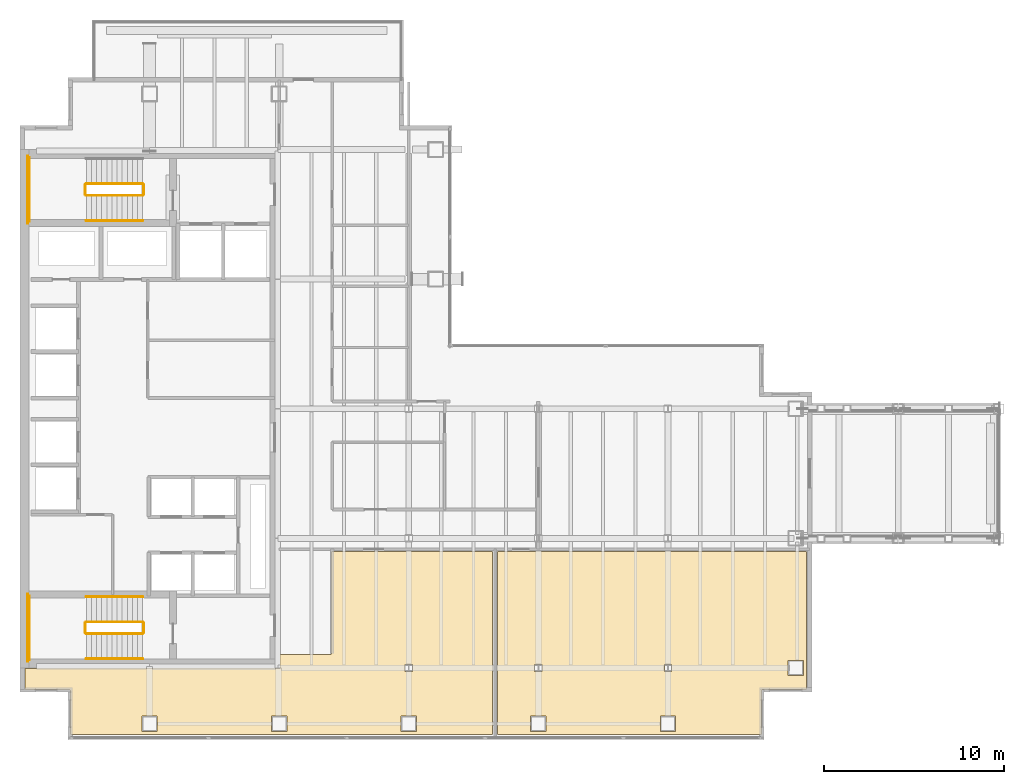
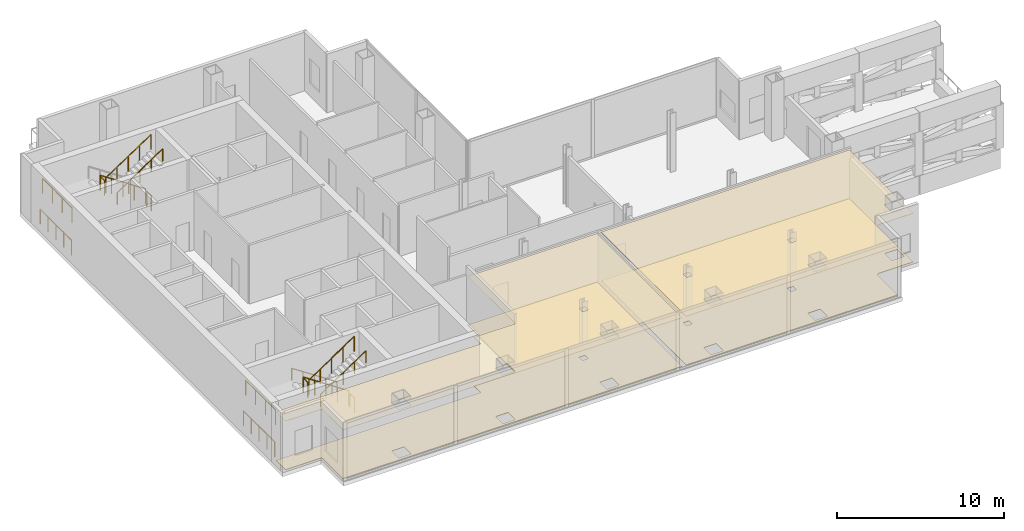
# One storey, part 19 of 20: 15 railings, 4 coverings.
"""IFC4 building model written with IfcOpenShell, lengths in metres."""

import ifcopenshell
import ifcopenshell.guid

model = None  # the IFC model being written
_history = None  # IfcOwnerHistory: only IFC2X3 demands one
_inside = {}  # id of a spatial element -> (the spatial element, [elements in it])
_under = {}  # id of a project, library or spatial element -> (it, [spatial elements below it])
_declared = {}  # id of a project -> (the project, [libraries it declares])
_typed = {}  # id of a type object -> (the type object, [elements of that type])
_made_of = {}  # id of a material, layer set ... -> (it, [elements and type objects made of it])


def new_model(schema):
    """Start an empty IFC model of exactly this schema.

    Asked for "IFC4X3", IfcOpenShell would pick the latest addendum, in which some entities
    have other attributes; the version numbers below select the first issue.
    IFC2X3 requires an IfcOwnerHistory on every rooted entity: one is made here for all.
    """
    global model, _history
    if schema == "IFC4X3":
        model = ifcopenshell.file(schema_version=(4, 3, 0, 0))
    else:
        model = ifcopenshell.file(schema=schema)
    _inside.clear()
    _under.clear()
    _declared.clear()
    _typed.clear()
    _made_of.clear()
    _history = None
    if model.schema == "IFC2X3":
        org = make("IfcOrganization", Name="unknown")
        user = make(
            "IfcPersonAndOrganization",
            ThePerson=make("IfcPerson", FamilyName="unknown"),
            TheOrganization=org,
        )
        app = make(
            "IfcApplication",
            ApplicationDeveloper=org,
            Version="unknown",
            ApplicationFullName="unknown",
            ApplicationIdentifier="unknown",
        )
        _history = make(
            "IfcOwnerHistory",
            OwningUser=user,
            OwningApplication=app,
            ChangeAction="ADDED",
            CreationDate=0,
        )
    return model


def make(cls, **values):
    """One entity of the class cls with the attributes given. An attribute that is None is left unset."""
    return model.create_entity(
        cls, **{name: value for name, value in values.items() if value is not None}
    )


def rooted(cls, **values):
    """An entity with a GlobalId (a new one), such as an element, a storey or a relation."""
    return make(cls, GlobalId=ifcopenshell.guid.new(), OwnerHistory=_history, **values)


def si_unit(unit_type, name, prefix=None):
    """IfcSIUnit, for example si_unit("LENGTHUNIT", "METRE", prefix="MILLI")."""
    return make("IfcSIUnit", UnitType=unit_type, Prefix=prefix, Name=name)


def assignment(units):
    """IfcUnitAssignment: the units of a project."""
    return None if units is None else make("IfcUnitAssignment", Units=units)


def point(xyz):
    """IfcCartesianPoint."""
    return None if xyz is None else make("IfcCartesianPoint", Coordinates=xyz)


def direction(xyz):
    """IfcDirection."""
    return None if xyz is None else make("IfcDirection", DirectionRatios=xyz)


def frame(location, z_axis=None, x_axis=None):
    """IfcAxis2Placement3D, a coordinate frame: its origin and axes. An axis left out is left unset."""
    return make(
        "IfcAxis2Placement3D",
        Location=point(location),
        Axis=direction(z_axis),
        RefDirection=direction(x_axis),
    )


def frame_2d(location, x_axis=None):
    """IfcAxis2Placement2D, a coordinate frame in the plane: its origin and x axis."""
    return make(
        "IfcAxis2Placement2D", Location=point(location), RefDirection=direction(x_axis)
    )


def origin():
    """The frame at (0, 0, 0) with its axes left unset."""
    return frame((0.0, 0.0, 0.0))


def origin_2d():
    """The frame at (0, 0) in the plane with its x axis left unset."""
    return frame_2d((0.0, 0.0))


def place(relative_to, where):
    """IfcLocalPlacement: puts the frame where relative to a parent placement (None: the world)."""
    return make(
        "IfcLocalPlacement", PlacementRelTo=relative_to, RelativePlacement=where
    )


def context(
    kind, dimensions, precision=None, world=None, true_north=None, identifier=None
):
    """IfcGeometricRepresentationContext, for example the 3D "Model" context."""
    return make(
        "IfcGeometricRepresentationContext",
        ContextIdentifier=identifier,
        ContextType=kind,
        CoordinateSpaceDimension=dimensions,
        Precision=precision,
        WorldCoordinateSystem=world,
        TrueNorth=true_north,
    )


def subcontext(parent, identifier, kind, view, scale=None):
    """IfcGeometricRepresentationSubContext, for example "Body" below "Model"."""
    return make(
        "IfcGeometricRepresentationSubContext",
        ContextIdentifier=identifier,
        ContextType=kind,
        ParentContext=parent,
        TargetScale=scale,
        TargetView=view,
    )


def project(units=None, contexts=None):
    """IfcProject with its units and contexts."""
    return rooted(
        "IfcProject",
        Name="project",
        RepresentationContexts=contexts,
        UnitsInContext=assignment(units),
    )


def spatial(cls, under=None, at=None, **own):
    """A site, building, storey or space (cls), placed at a placement, below another one or the project."""
    s = rooted(cls, ObjectPlacement=at, **own)
    if under is not None:
        _under.setdefault(under.id(), (under, []))[1].append(s)
    return s


def polyline(points):
    """IfcPolyline through the points."""
    return make("IfcPolyline", Points=[point(p) for p in points])


def profile(cls, at=None, kind="AREA", **sizes):
    """A parametric profile (cls). Its sizes go by their IFC names, for example OverallWidth=200.0."""
    return make(cls, ProfileType=kind, Position=at, **sizes)


def circle(**sizes):
    """IfcCircleProfileDef."""
    return profile("IfcCircleProfileDef", **sizes)


def outline(outer, holes=None, kind="AREA"):
    """IfcArbitraryClosedProfileDef: a profile drawn as a closed curve; with holes, ...WithVoids."""
    if holes is None:
        return make("IfcArbitraryClosedProfileDef", ProfileType=kind, OuterCurve=outer)
    return make(
        "IfcArbitraryProfileDefWithVoids",
        ProfileType=kind,
        OuterCurve=outer,
        InnerCurves=holes,
    )


def extrude(swept, where, along, depth):
    """IfcExtrudedAreaSolid: the profile swept, set in the frame where, extruded along a direction by depth."""
    return make(
        "IfcExtrudedAreaSolid",
        SweptArea=swept,
        Position=where,
        ExtrudedDirection=direction(along),
        Depth=depth,
    )


def shape(context_of_items, identifier, shape_type, items):
    """IfcShapeRepresentation: the items that make up one representation, for example the "Body"."""
    return make(
        "IfcShapeRepresentation",
        ContextOfItems=context_of_items,
        RepresentationIdentifier=identifier,
        RepresentationType=shape_type,
        Items=items,
    )


def material(Name=None, Category=None):
    """IfcMaterial."""
    return make("IfcMaterial", Name=Name, Category=Category)


def layer(
    of_material, thickness, ventilated=None, Name=None, Category=None, Priority=None
):
    """IfcMaterialLayer: one layer of a wall or slab, of a material (None: an air gap)."""
    return make(
        "IfcMaterialLayer",
        Material=of_material,
        LayerThickness=thickness,
        IsVentilated=ventilated,
        Name=Name,
        Category=Category,
        Priority=Priority,
    )


def layer_set(layers, Name=None):
    """IfcMaterialLayerSet."""
    return make("IfcMaterialLayerSet", MaterialLayers=layers, LayerSetName=Name)


def made_of(thing, what):
    """Note that an element or type object is made of a material, layer set ...; save() writes the relation."""
    if what is not None:
        _made_of.setdefault(what.id(), (what, []))[1].append(thing)
    return thing


def type_object(cls, material=None, **own):
    """A type object (cls), such as IfcWallType, which elements share."""
    return made_of(rooted(cls, **own), material)


def element(
    cls,
    number,
    at=None,
    inside=None,
    cuts=None,
    type_object=None,
    material=None,
    context=None,
    identifier="Body",
    shape_type=None,
    held_by="IfcProductDefinitionShape",
    body=None,
    shapes=None,
    **own,
):
    """One element of the class cls, such as IfcWall. Its Tag is "e" and its number.

    at: its placement. inside: the storey or other place that contains it. cuts: it is an
    opening in that element (IfcRelVoidsElement). A single representation is given by context,
    identifier, shape_type and body (its items); several are given by shapes. held_by: the class
    of the entity that holds the representations. save() writes the other relations.
    """
    e = rooted(cls, Tag="e%d" % number, ObjectPlacement=at, **own)
    if body is not None:
        shapes = [shape(context, identifier, shape_type, body)]
    if shapes is not None:
        e.Representation = make(held_by, Representations=shapes)
    if inside is not None:
        _inside.setdefault(inside.id(), (inside, []))[1].append(e)
    if cuts is not None:
        rooted(
            "IfcRelVoidsElement", RelatingBuildingElement=cuts, RelatedOpeningElement=e
        )
    if type_object is not None:
        _typed.setdefault(type_object.id(), (type_object, []))[1].append(e)
    return made_of(e, material)


def aggregate(whole, parts):
    """IfcRelAggregates: a whole, such as a stair, and the parts it consists of."""
    return rooted("IfcRelAggregates", RelatingObject=whole, RelatedObjects=parts)


def save(model, path):
    """Write the relations noted so far, then the file.

    IfcRelAggregates (storeys below a building ...), IfcRelContainedInSpatialStructure (elements
    in a storey), IfcRelDefinesByType, IfcRelAssociatesMaterial and IfcRelDeclares: one each for
    every whole, place, type object, material and project.
    """
    for whole, parts in _under.values():
        aggregate(whole, parts)
    for where, things in _inside.values():
        rooted(
            "IfcRelContainedInSpatialStructure",
            RelatedElements=things,
            RelatingStructure=where,
        )
    for kind, things in _typed.values():
        rooted("IfcRelDefinesByType", RelatedObjects=things, RelatingType=kind)
    for what, things in _made_of.values():
        rooted("IfcRelAssociatesMaterial", RelatedObjects=things, RelatingMaterial=what)
    for by, libraries in _declared.values():
        rooted("IfcRelDeclares", RelatingContext=by, RelatedDefinitions=libraries)
    model.write(path)


model = new_model("IFC4")

# Units and contexts
model_context = context("Model", 3, precision=1e-05, world=origin(), true_north=direction((0.0, 1.0)))
body_context = subcontext(model_context, "Body", "Model", "MODEL_VIEW")
ifc_project = project(units=[si_unit("LENGTHUNIT", "METRE"), si_unit("AREAUNIT", "SQUARE_METRE"), si_unit("VOLUMEUNIT", "CUBIC_METRE"), si_unit("PLANEANGLEUNIT", "RADIAN"), si_unit("MASSUNIT", "GRAM", prefix="KILO")], contexts=[model_context])

# Site, building, storey
site_placement = place(None, origin())
site = spatial("IfcSite", under=ifc_project, at=site_placement, CompositionType="ELEMENT")
building_placement = place(site_placement, origin())
building = spatial("IfcBuilding", under=site, at=building_placement, Name="Cobrela Telecom Tower", CompositionType="ELEMENT")
storey_placement = place(building_placement, frame((0.0, 0.0, 168.699951171875)))
storey = spatial("IfcBuildingStorey", under=building, at=storey_placement, Name="L42", CompositionType="ELEMENT", Elevation=168.699951171875)

# Coverings
ifc_material_1 = material(Name="Mineral Fibre Acoustic Ceiling Tile")
ifc_layer_1 = layer(ifc_material_1, 0.02490234375)
ifc_layer_set_1 = layer_set([ifc_layer_1], Name="Mineral Fibre Acoustic Ceiling Tile")
covering_type_1 = type_object("IfcCoveringType", Name="COV-CEIL-ACT", PredefinedType="CEILING", material=ifc_layer_set_1)
covering_1_placement = place(storey_placement, frame((0.0, 0.0, 3.570068359375)))
element("IfcCovering", 1, at=covering_1_placement, inside=storey, type_object=covering_type_1, Name="L42 Client Hospitality Office Suspended Acoustic Ceiling", PredefinedType="CEILING", context=body_context, shape_type="SweptSolid", body=[
    extrude(outline(polyline([(43.7099609375, 6.010009765625), (41.3291015625, 6.010009765625), (41.31640625, 6.009521484375), (41.302734375, 6.00732421875), (41.289306640625, 6.00390625), (41.2763671875, 5.99951171875), (41.263916015625, 5.993408203125), (41.252197265625, 5.986328125), (41.2412109375, 5.978271484375), (41.23095703125, 5.968994140625), (41.2216796875, 5.958740234375), (41.213623046875, 5.947998046875), (41.20654296875, 5.93603515625), (41.20068359375, 5.923583984375), (41.196044921875, 5.91064453125), (41.192626953125, 5.897216796875), (41.190673828125, 5.8837890625), (41.18994140625, 5.87109375), (41.18994140625, 3.489990234375), (26.5400390625, 3.489990234375), (26.5400390625, 13.659912109375), (43.7099609375, 13.659912109375), (43.7099609375, 6.010009765625)]), holes=[polyline([(28.99951171875, 7.0029296875), (28.99951171875, 7.39697265625), (28.6005859375, 7.39697265625), (28.6005859375, 7.0029296875), (28.99951171875, 7.0029296875)]), polyline([(29.22509765625, 3.675048828125), (29.22509765625, 4.52490234375), (28.375, 4.52490234375), (28.375, 3.675048828125), (29.22509765625, 3.675048828125)]), polyline([(36.425048828125, 3.675048828125), (36.425048828125, 4.52490234375), (35.574951171875, 4.52490234375), (35.574951171875, 3.675048828125), (36.425048828125, 3.675048828125)]), polyline([(36.199462890625, 7.39697265625), (35.800537109375, 7.39697265625), (35.800537109375, 7.0029296875), (36.199462890625, 7.0029296875), (36.199462890625, 7.39697265625)]), polyline([(43.52490234375, 6.77490234375), (43.52490234375, 7.625), (42.675048828125, 7.625), (42.675048828125, 6.77490234375), (43.52490234375, 6.77490234375)])]), origin(), (0.0, 0.0, 1.0), 0.02490234375),
])
covering_2_placement = place(storey_placement, frame((0.0, 0.0, 3.570068359375)))
element("IfcCovering", 2, at=covering_2_placement, inside=storey, type_object=covering_type_1, Name="L42 NOC Briefing Room Suspended Acoustic Ceiling", PredefinedType="CEILING", context=body_context, shape_type="SweptSolid", body=[
    extrude(outline(polyline([(2.81005859375, 5.87109375), (2.809326171875, 5.8837890625), (2.807373046875, 5.897216796875), (2.803955078125, 5.91064453125), (2.79931640625, 5.923583984375), (2.79345703125, 5.93603515625), (2.786376953125, 5.947998046875), (2.7783203125, 5.958740234375), (2.76904296875, 5.968994140625), (2.7587890625, 5.978271484375), (2.747802734375, 5.986328125), (2.736083984375, 5.993408203125), (2.7236328125, 5.99951171875), (2.710693359375, 6.00390625), (2.697265625, 6.00732421875), (2.68359375, 6.009521484375), (2.6708984375, 6.010009765625), (0.2900390625, 6.010009765625), (0.2900390625, 7.159912109375), (14.43994140625, 7.159912109375), (14.43994140625, 7.950927734375), (14.445068359375, 7.949951171875), (17.2548828125, 7.949951171875), (17.26025390625, 7.951171875), (17.265380859375, 7.9521484375), (17.27001953125, 7.9541015625), (17.272705078125, 7.955322265625), (17.278564453125, 7.958740234375), (17.28125, 7.961181640625), (17.28564453125, 7.96435546875), (17.288818359375, 7.96875), (17.291259765625, 7.971435546875), (17.294677734375, 7.977294921875), (17.2978515625, 7.984619140625), (17.298828125, 7.98974609375), (17.300048828125, 7.9951171875), (17.300048828125, 13.659912109375), (26.260009765625, 13.659912109375), (26.260009765625, 3.489990234375), (2.81005859375, 3.489990234375), (2.81005859375, 5.87109375)]), holes=[polyline([(7.625, 4.52490234375), (6.77490234375, 4.52490234375), (6.77490234375, 3.675048828125), (7.625, 3.675048828125), (7.625, 4.52490234375)]), polyline([(14.824951171875, 3.675048828125), (14.824951171875, 4.52490234375), (13.97509765625, 4.52490234375), (13.97509765625, 3.675048828125), (14.824951171875, 3.675048828125)]), polyline([(22.02490234375, 3.675048828125), (22.02490234375, 4.52490234375), (21.175048828125, 4.52490234375), (21.175048828125, 3.675048828125), (22.02490234375, 3.675048828125)]), polyline([(21.799560546875, 7.39697265625), (21.400390625, 7.39697265625), (21.400390625, 7.0029296875), (21.799560546875, 7.0029296875), (21.799560546875, 7.39697265625)])]), origin(), (0.0, 0.0, 1.0), 0.02490234375),
])
ifc_material_2 = material(Name="Honed Colombian Basalt Stone", Category="masonry")
ifc_layer_2 = layer(ifc_material_2, 0.0400390625)
ifc_layer_set_2 = layer_set([ifc_layer_2], Name="Honed Colombian Basalt Stone")
covering_type_2 = type_object("IfcCoveringType", Name="COV-FLR-STONE", PredefinedType="FLOORING", material=ifc_layer_set_2)
covering_3_placement = place(storey_placement, origin())
element("IfcCovering", 3, at=covering_3_placement, inside=storey, type_object=covering_type_2, Name="L42 Client Hospitality Office Raised Technical Flooring", PredefinedType="FLOORING", context=body_context, shape_type="SweptSolid", body=[
    extrude(outline(polyline([(43.7099609375, 6.010009765625), (41.3291015625, 6.010009765625), (41.31640625, 6.009521484375), (41.302734375, 6.00732421875), (41.289306640625, 6.00390625), (41.2763671875, 5.99951171875), (41.263916015625, 5.993408203125), (41.252197265625, 5.986328125), (41.2412109375, 5.978271484375), (41.23095703125, 5.968994140625), (41.2216796875, 5.958740234375), (41.213623046875, 5.947998046875), (41.20654296875, 5.93603515625), (41.20068359375, 5.923583984375), (41.196044921875, 5.91064453125), (41.192626953125, 5.897216796875), (41.190673828125, 5.8837890625), (41.18994140625, 5.87109375), (41.18994140625, 3.489990234375), (26.5400390625, 3.489990234375), (26.5400390625, 13.659912109375), (43.7099609375, 13.659912109375), (43.7099609375, 6.010009765625)]), holes=[polyline([(28.99951171875, 7.0029296875), (28.99951171875, 7.39697265625), (28.6005859375, 7.39697265625), (28.6005859375, 7.0029296875), (28.99951171875, 7.0029296875)]), polyline([(29.22509765625, 3.675048828125), (29.22509765625, 4.52490234375), (28.375, 4.52490234375), (28.375, 3.675048828125), (29.22509765625, 3.675048828125)]), polyline([(36.425048828125, 3.675048828125), (36.425048828125, 4.52490234375), (35.574951171875, 4.52490234375), (35.574951171875, 3.675048828125), (36.425048828125, 3.675048828125)]), polyline([(36.199462890625, 7.39697265625), (35.800537109375, 7.39697265625), (35.800537109375, 7.0029296875), (36.199462890625, 7.0029296875), (36.199462890625, 7.39697265625)]), polyline([(43.52490234375, 6.77490234375), (43.52490234375, 7.625), (42.675048828125, 7.625), (42.675048828125, 6.77490234375), (43.52490234375, 6.77490234375)])]), origin(), (0.0, 0.0, 1.0), 0.0400390625),
])
covering_4_placement = place(storey_placement, origin())
element("IfcCovering", 4, at=covering_4_placement, inside=storey, type_object=covering_type_2, Name="L42 NOC Briefing Room Raised Technical Flooring", PredefinedType="FLOORING", context=body_context, shape_type="SweptSolid", body=[
    extrude(outline(polyline([(2.81005859375, 5.87109375), (2.809326171875, 5.8837890625), (2.807373046875, 5.897216796875), (2.803955078125, 5.91064453125), (2.79931640625, 5.923583984375), (2.79345703125, 5.93603515625), (2.786376953125, 5.947998046875), (2.7783203125, 5.958740234375), (2.76904296875, 5.968994140625), (2.7587890625, 5.978271484375), (2.747802734375, 5.986328125), (2.736083984375, 5.993408203125), (2.7236328125, 5.99951171875), (2.710693359375, 6.00390625), (2.697265625, 6.00732421875), (2.68359375, 6.009521484375), (2.6708984375, 6.010009765625), (0.2900390625, 6.010009765625), (0.2900390625, 7.159912109375), (14.43994140625, 7.159912109375), (14.43994140625, 7.950927734375), (14.445068359375, 7.949951171875), (17.2548828125, 7.949951171875), (17.26025390625, 7.951171875), (17.265380859375, 7.9521484375), (17.27001953125, 7.9541015625), (17.272705078125, 7.955322265625), (17.278564453125, 7.958740234375), (17.28125, 7.961181640625), (17.28564453125, 7.96435546875), (17.288818359375, 7.96875), (17.291259765625, 7.971435546875), (17.294677734375, 7.977294921875), (17.2978515625, 7.984619140625), (17.298828125, 7.98974609375), (17.300048828125, 7.9951171875), (17.300048828125, 13.659912109375), (26.260009765625, 13.659912109375), (26.260009765625, 3.489990234375), (2.81005859375, 3.489990234375), (2.81005859375, 5.87109375)]), holes=[polyline([(7.625, 4.52490234375), (6.77490234375, 4.52490234375), (6.77490234375, 3.675048828125), (7.625, 3.675048828125), (7.625, 4.52490234375)]), polyline([(14.824951171875, 3.675048828125), (14.824951171875, 4.52490234375), (13.97509765625, 4.52490234375), (13.97509765625, 3.675048828125), (14.824951171875, 3.675048828125)]), polyline([(22.02490234375, 3.675048828125), (22.02490234375, 4.52490234375), (21.175048828125, 4.52490234375), (21.175048828125, 3.675048828125), (22.02490234375, 3.675048828125)]), polyline([(21.799560546875, 7.39697265625), (21.400390625, 7.39697265625), (21.400390625, 7.0029296875), (21.799560546875, 7.0029296875), (21.799560546875, 7.39697265625)])]), origin(), (0.0, 0.0, 1.0), 0.0400390625),
])

# Railings
ifc_material_3 = material(Name="Steel ASTM A36", Category="steel")
railing_type_1 = type_object("IfcRailingType", Name="RAIL-GUARD-1100", PredefinedType="GUARDRAIL", material=ifc_material_3)
railing_1_placement = place(storey_placement, frame((6.820068359375, 34.10009765625, 0.189697265625)))
element("IfcRailing", 5, at=railing_1_placement, inside=storey, type_object=railing_type_1, Name="L42 ST1 stair guard 1", PredefinedType="GUARDRAIL", context=body_context, shape_type="SweptSolid", body=[
    extrude(circle(Radius=0.02392578125, at=origin_2d()), frame((0.0, 0.0, 1.076171875), z_axis=(-0.832608492644, 0.0, 0.553861984593), x_axis=(0.0, -1.0, 0.0)), (0.0, 0.0, 1.0), 3.765380859375),
    extrude(circle(Radius=0.02099609375, at=origin_2d()), origin(), (0.0, 0.0, 1.0), 1.052001953125),
    extrude(circle(Radius=0.02099609375, at=origin_2d()), frame((-0.78369140625, 0.0, 0.521484375)), (0.0, 0.0, 1.0), 1.052001953125),
    extrude(circle(Radius=0.02099609375, at=origin_2d()), frame((-1.5673828125, 0.0, 1.042724609375)), (0.0, 0.0, 1.0), 1.052001953125),
    extrude(circle(Radius=0.02099609375, at=origin_2d()), frame((-2.351318359375, 0.0, 1.56396484375)), (0.0, 0.0, 1.0), 1.052001953125),
    extrude(circle(Radius=0.02099609375, at=origin_2d()), frame((-3.135009765625, 0.0, 2.08544921875)), (0.0, 0.0, 1.0), 1.052001953125),
])
railing_2_placement = place(storey_placement, frame((3.635009765625, 34.050048828125, 2.275146484375)))
element("IfcRailing", 6, at=railing_2_placement, inside=storey, type_object=railing_type_1, Name="L42 ST1 stair guard 2", PredefinedType="GUARDRAIL", context=body_context, shape_type="SweptSolid", body=[
    extrude(circle(Radius=0.02392578125, at=origin_2d()), frame((0.0, 0.0, 1.076171875), z_axis=(0.0, -1.0, 0.0), x_axis=(1.0, 0.0, 0.0)), (0.0, 0.0, 1.0), 0.550048828125),
    extrude(circle(Radius=0.02099609375, at=origin_2d()), origin(), (0.0, 0.0, 1.0), 1.052001953125),
    extrude(circle(Radius=0.02099609375, at=origin_2d()), frame((0.0, -0.550048828125, 0.0)), (0.0, 0.0, 1.0), 1.052001953125),
])
railing_3_placement = place(storey_placement, frame((0.530029296875, 35.550048828125, 2.275146484375)))
element("IfcRailing", 7, at=railing_3_placement, inside=storey, type_object=railing_type_1, Name="L42 ST1 stair guard 3", PredefinedType="GUARDRAIL", context=body_context, shape_type="SweptSolid", body=[
    extrude(circle(Radius=0.02392578125, at=origin_2d()), frame((0.0, 0.0, 1.076171875), z_axis=(0.0, -1.0, 0.0), x_axis=(1.0, 0.0, 0.0)), (0.0, 0.0, 1.0), 3.550048828125),
    extrude(circle(Radius=0.02099609375, at=origin_2d()), origin(), (0.0, 0.0, 1.0), 1.052001953125),
    extrude(circle(Radius=0.02099609375, at=origin_2d()), frame((0.0, -1.183349609375, 0.0)), (0.0, 0.0, 1.0), 1.052001953125),
    extrude(circle(Radius=0.02099609375, at=origin_2d()), frame((0.0, -2.36669921875, 0.0)), (0.0, 0.0, 1.0), 1.052001953125),
    extrude(circle(Radius=0.02099609375, at=origin_2d()), frame((0.0, -3.550048828125, 0.0)), (0.0, 0.0, 1.0), 1.052001953125),
])
railing_4_placement = place(storey_placement, frame((3.68505859375, 33.449951171875, 2.464599609375)))
element("IfcRailing", 8, at=railing_4_placement, inside=storey, type_object=railing_type_1, Name="L42 ST1 stair guard 4", PredefinedType="GUARDRAIL", context=body_context, shape_type="SweptSolid", body=[
    extrude(circle(Radius=0.02392578125, at=origin_2d()), frame((0.0, 0.0, 1.076171875), z_axis=(0.832608492644, 0.0, 0.553861984593), x_axis=(0.0, 1.0, 0.0)), (0.0, 0.0, 1.0), 3.765380859375),
    extrude(circle(Radius=0.02099609375, at=origin_2d()), origin(), (0.0, 0.0, 1.0), 1.052001953125),
    extrude(circle(Radius=0.02099609375, at=origin_2d()), frame((0.78369140625, 0.0, 0.521484375)), (0.0, 0.0, 1.0), 1.052001953125),
    extrude(circle(Radius=0.02099609375, at=origin_2d()), frame((1.5673828125, 0.0, 1.042724609375)), (0.0, 0.0, 1.0), 1.052001953125),
    extrude(circle(Radius=0.02099609375, at=origin_2d()), frame((2.351318359375, 0.0, 1.56396484375)), (0.0, 0.0, 1.0), 1.052001953125),
    extrude(circle(Radius=0.02099609375, at=origin_2d()), frame((3.135009765625, 0.0, 2.08544921875)), (0.0, 0.0, 1.0), 1.052001953125),
])
railing_5_placement = place(storey_placement, frame((6.8701171875, 34.050048828125, 0.0)))
element("IfcRailing", 9, at=railing_5_placement, inside=storey, type_object=railing_type_1, Name="L42 ST1 stair guard 5", PredefinedType="GUARDRAIL", context=body_context, shape_type="SweptSolid", body=[
    extrude(circle(Radius=0.02392578125, at=origin_2d()), frame((0.0, 0.0, 1.076171875), z_axis=(0.0, -1.0, 0.0), x_axis=(1.0, 0.0, 0.0)), (0.0, 0.0, 1.0), 0.550048828125),
    extrude(circle(Radius=0.02099609375, at=origin_2d()), origin(), (0.0, 0.0, 1.0), 1.052001953125),
    extrude(circle(Radius=0.02099609375, at=origin_2d()), frame((0.0, -0.550048828125, 0.0)), (0.0, 0.0, 1.0), 1.052001953125),
])
railing_6_placement = place(storey_placement, frame((0.429931640625, 35.64990234375, 0.0)))
element("IfcRailing", 10, at=railing_6_placement, inside=storey, type_object=railing_type_1, Name="L42 ST1 stair guard 6", PredefinedType="GUARDRAIL", context=body_context, shape_type="SweptSolid", body=[
    extrude(circle(Radius=0.02392578125, at=origin_2d()), frame((0.0, 0.0, 1.076171875), z_axis=(0.0, -1.0, 0.0), x_axis=(1.0, 0.0, 0.0)), (0.0, 0.0, 1.0), 3.75),
    extrude(circle(Radius=0.02099609375, at=origin_2d()), origin(), (0.0, 0.0, 1.0), 1.052001953125),
    extrude(circle(Radius=0.02099609375, at=origin_2d()), frame((0.0, -0.9375, 0.0)), (0.0, 0.0, 1.0), 1.052001953125),
    extrude(circle(Radius=0.02099609375, at=origin_2d()), frame((0.0, -1.875, 0.0)), (0.0, 0.0, 1.0), 1.052001953125),
    extrude(circle(Radius=0.02099609375, at=origin_2d()), frame((0.0, -2.8125, 0.0)), (0.0, 0.0, 1.0), 1.052001953125),
    extrude(circle(Radius=0.02099609375, at=origin_2d()), frame((0.0, -3.75, 0.0)), (0.0, 0.0, 1.0), 1.052001953125),
])
railing_7_placement = place(storey_placement, frame((6.820068359375, 9.75, 0.189697265625)))
element("IfcRailing", 11, at=railing_7_placement, inside=storey, type_object=railing_type_1, Name="L42 ST2 stair guard 1", PredefinedType="GUARDRAIL", context=body_context, shape_type="SweptSolid", body=[
    extrude(circle(Radius=0.02392578125, at=origin_2d()), frame((0.0, 0.0, 1.076171875), z_axis=(-0.832608492644, 0.0, 0.553861984593), x_axis=(0.0, -1.0, 0.0)), (0.0, 0.0, 1.0), 3.765380859375),
    extrude(circle(Radius=0.02099609375, at=origin_2d()), origin(), (0.0, 0.0, 1.0), 1.052001953125),
    extrude(circle(Radius=0.02099609375, at=origin_2d()), frame((-0.78369140625, 0.0, 0.521484375)), (0.0, 0.0, 1.0), 1.052001953125),
    extrude(circle(Radius=0.02099609375, at=origin_2d()), frame((-1.5673828125, 0.0, 1.042724609375)), (0.0, 0.0, 1.0), 1.052001953125),
    extrude(circle(Radius=0.02099609375, at=origin_2d()), frame((-2.351318359375, 0.0, 1.56396484375)), (0.0, 0.0, 1.0), 1.052001953125),
    extrude(circle(Radius=0.02099609375, at=origin_2d()), frame((-3.135009765625, 0.0, 2.08544921875)), (0.0, 0.0, 1.0), 1.052001953125),
])
railing_8_placement = place(storey_placement, frame((3.635009765625, 9.699951171875, 2.275146484375)))
element("IfcRailing", 12, at=railing_8_placement, inside=storey, type_object=railing_type_1, Name="L42 ST2 stair guard 2", PredefinedType="GUARDRAIL", context=body_context, shape_type="SweptSolid", body=[
    extrude(circle(Radius=0.02392578125, at=origin_2d()), frame((0.0, 0.0, 1.076171875), z_axis=(0.0, -1.0, 0.0), x_axis=(1.0, 0.0, 0.0)), (0.0, 0.0, 1.0), 0.550048828125),
    extrude(circle(Radius=0.02099609375, at=origin_2d()), origin(), (0.0, 0.0, 1.0), 1.052001953125),
    extrude(circle(Radius=0.02099609375, at=origin_2d()), frame((0.0, -0.550048828125, 0.0)), (0.0, 0.0, 1.0), 1.052001953125),
])
railing_9_placement = place(storey_placement, frame((0.530029296875, 11.199951171875, 2.275146484375)))
element("IfcRailing", 13, at=railing_9_placement, inside=storey, type_object=railing_type_1, Name="L42 ST2 stair guard 3", PredefinedType="GUARDRAIL", context=body_context, shape_type="SweptSolid", body=[
    extrude(circle(Radius=0.02392578125, at=origin_2d()), frame((0.0, 0.0, 1.076171875), z_axis=(0.0, -1.0, 0.0), x_axis=(1.0, 0.0, 0.0)), (0.0, 0.0, 1.0), 3.550048828125),
    extrude(circle(Radius=0.02099609375, at=origin_2d()), origin(), (0.0, 0.0, 1.0), 1.052001953125),
    extrude(circle(Radius=0.02099609375, at=origin_2d()), frame((0.0, -1.183349609375, 0.0)), (0.0, 0.0, 1.0), 1.052001953125),
    extrude(circle(Radius=0.02099609375, at=origin_2d()), frame((0.0, -2.36669921875, 0.0)), (0.0, 0.0, 1.0), 1.052001953125),
    extrude(circle(Radius=0.02099609375, at=origin_2d()), frame((0.0, -3.550048828125, 0.0)), (0.0, 0.0, 1.0), 1.052001953125),
])
railing_10_placement = place(storey_placement, frame((3.68505859375, 9.10009765625, 2.464599609375)))
element("IfcRailing", 14, at=railing_10_placement, inside=storey, type_object=railing_type_1, Name="L42 ST2 stair guard 4", PredefinedType="GUARDRAIL", context=body_context, shape_type="SweptSolid", body=[
    extrude(circle(Radius=0.02392578125, at=origin_2d()), frame((0.0, 0.0, 1.076171875), z_axis=(0.832608492644, 0.0, 0.553861984593), x_axis=(0.0, 1.0, 0.0)), (0.0, 0.0, 1.0), 3.765380859375),
    extrude(circle(Radius=0.02099609375, at=origin_2d()), origin(), (0.0, 0.0, 1.0), 1.052001953125),
    extrude(circle(Radius=0.02099609375, at=origin_2d()), frame((0.78369140625, 0.0, 0.521484375)), (0.0, 0.0, 1.0), 1.052001953125),
    extrude(circle(Radius=0.02099609375, at=origin_2d()), frame((1.5673828125, 0.0, 1.042724609375)), (0.0, 0.0, 1.0), 1.052001953125),
    extrude(circle(Radius=0.02099609375, at=origin_2d()), frame((2.351318359375, 0.0, 1.56396484375)), (0.0, 0.0, 1.0), 1.052001953125),
    extrude(circle(Radius=0.02099609375, at=origin_2d()), frame((3.135009765625, 0.0, 2.08544921875)), (0.0, 0.0, 1.0), 1.052001953125),
])
railing_11_placement = place(storey_placement, frame((6.8701171875, 9.699951171875, 0.0)))
element("IfcRailing", 15, at=railing_11_placement, inside=storey, type_object=railing_type_1, Name="L42 ST2 stair guard 5", PredefinedType="GUARDRAIL", context=body_context, shape_type="SweptSolid", body=[
    extrude(circle(Radius=0.02392578125, at=origin_2d()), frame((0.0, 0.0, 1.076171875), z_axis=(0.0, -1.0, 0.0), x_axis=(1.0, 0.0, 0.0)), (0.0, 0.0, 1.0), 0.550048828125),
    extrude(circle(Radius=0.02099609375, at=origin_2d()), origin(), (0.0, 0.0, 1.0), 1.052001953125),
    extrude(circle(Radius=0.02099609375, at=origin_2d()), frame((0.0, -0.550048828125, 0.0)), (0.0, 0.0, 1.0), 1.052001953125),
])
railing_12_placement = place(storey_placement, frame((0.429931640625, 11.300048828125, 0.0)))
element("IfcRailing", 16, at=railing_12_placement, inside=storey, type_object=railing_type_1, Name="L42 ST2 stair guard 6", PredefinedType="GUARDRAIL", context=body_context, shape_type="SweptSolid", body=[
    extrude(circle(Radius=0.02392578125, at=origin_2d()), frame((0.0, 0.0, 1.076171875), z_axis=(0.0, -1.0, 0.0), x_axis=(1.0, 0.0, 0.0)), (0.0, 0.0, 1.0), 3.75),
    extrude(circle(Radius=0.02099609375, at=origin_2d()), origin(), (0.0, 0.0, 1.0), 1.052001953125),
    extrude(circle(Radius=0.02099609375, at=origin_2d()), frame((0.0, -0.9375, 0.0)), (0.0, 0.0, 1.0), 1.052001953125),
    extrude(circle(Radius=0.02099609375, at=origin_2d()), frame((0.0, -1.875, 0.0)), (0.0, 0.0, 1.0), 1.052001953125),
    extrude(circle(Radius=0.02099609375, at=origin_2d()), frame((0.0, -2.8125, 0.0)), (0.0, 0.0, 1.0), 1.052001953125),
    extrude(circle(Radius=0.02099609375, at=origin_2d()), frame((0.0, -3.75, 0.0)), (0.0, 0.0, 1.0), 1.052001953125),
])
railing_type_2 = type_object("IfcRailingType", Name="RAIL-HAND-920", PredefinedType="HANDRAIL", material=ifc_material_3)
railing_13_placement = place(storey_placement, frame((3.68505859375, 32.050048828125, 2.464599609375)))
element("IfcRailing", 17, at=railing_13_placement, inside=storey, type_object=railing_type_2, Name="L42 ST1 stair handrail 2", PredefinedType="HANDRAIL", context=body_context, shape_type="SweptSolid", body=[
    extrude(circle(Radius=0.02392578125, at=origin_2d()), frame((0.0, 0.0, 0.8759765625), z_axis=(0.832608492644, 0.0, 0.553861984593), x_axis=(0.0, 1.0, 0.0)), (0.0, 0.0, 1.0), 3.765380859375),
    extrude(circle(Radius=0.02099609375, at=origin_2d()), origin(), (0.0, 0.0, 1.0), 0.851806640625),
    extrude(circle(Radius=0.02099609375, at=origin_2d()), frame((0.78369140625, 0.0, 0.521484375)), (0.0, 0.0, 1.0), 0.851806640625),
    extrude(circle(Radius=0.02099609375, at=origin_2d()), frame((1.5673828125, 0.0, 1.042724609375)), (0.0, 0.0, 1.0), 0.851806640625),
    extrude(circle(Radius=0.02099609375, at=origin_2d()), frame((2.351318359375, 0.0, 1.56396484375)), (0.0, 0.0, 1.0), 0.851806640625),
    extrude(circle(Radius=0.02099609375, at=origin_2d()), frame((3.135009765625, 0.0, 2.08544921875)), (0.0, 0.0, 1.0), 0.851806640625),
])
railing_14_placement = place(storey_placement, frame((6.820068359375, 11.14990234375, 0.189697265625)))
element("IfcRailing", 18, at=railing_14_placement, inside=storey, type_object=railing_type_2, Name="L42 ST2 stair handrail 1", PredefinedType="HANDRAIL", context=body_context, shape_type="SweptSolid", body=[
    extrude(circle(Radius=0.02392578125, at=origin_2d()), frame((0.0, 0.0, 0.8759765625), z_axis=(-0.832608492644, 0.0, 0.553861984593), x_axis=(0.0, -1.0, 0.0)), (0.0, 0.0, 1.0), 3.765380859375),
    extrude(circle(Radius=0.02099609375, at=origin_2d()), origin(), (0.0, 0.0, 1.0), 0.851806640625),
    extrude(circle(Radius=0.02099609375, at=origin_2d()), frame((-0.78369140625, 0.0, 0.521484375)), (0.0, 0.0, 1.0), 0.851806640625),
    extrude(circle(Radius=0.02099609375, at=origin_2d()), frame((-1.5673828125, 0.0, 1.042724609375)), (0.0, 0.0, 1.0), 0.851806640625),
    extrude(circle(Radius=0.02099609375, at=origin_2d()), frame((-2.351318359375, 0.0, 1.56396484375)), (0.0, 0.0, 1.0), 0.851806640625),
    extrude(circle(Radius=0.02099609375, at=origin_2d()), frame((-3.135009765625, 0.0, 2.08544921875)), (0.0, 0.0, 1.0), 0.851806640625),
])
railing_15_placement = place(storey_placement, frame((3.68505859375, 7.699951171875, 2.464599609375)))
element("IfcRailing", 19, at=railing_15_placement, inside=storey, type_object=railing_type_2, Name="L42 ST2 stair handrail 2", PredefinedType="HANDRAIL", context=body_context, shape_type="SweptSolid", body=[
    extrude(circle(Radius=0.02392578125, at=origin_2d()), frame((0.0, 0.0, 0.8759765625), z_axis=(0.832608492644, 0.0, 0.553861984593), x_axis=(0.0, 1.0, 0.0)), (0.0, 0.0, 1.0), 3.765380859375),
    extrude(circle(Radius=0.02099609375, at=origin_2d()), origin(), (0.0, 0.0, 1.0), 0.851806640625),
    extrude(circle(Radius=0.02099609375, at=origin_2d()), frame((0.78369140625, 0.0, 0.521484375)), (0.0, 0.0, 1.0), 0.851806640625),
    extrude(circle(Radius=0.02099609375, at=origin_2d()), frame((1.5673828125, 0.0, 1.042724609375)), (0.0, 0.0, 1.0), 0.851806640625),
    extrude(circle(Radius=0.02099609375, at=origin_2d()), frame((2.351318359375, 0.0, 1.56396484375)), (0.0, 0.0, 1.0), 0.851806640625),
    extrude(circle(Radius=0.02099609375, at=origin_2d()), frame((3.135009765625, 0.0, 2.08544921875)), (0.0, 0.0, 1.0), 0.851806640625),
])

save(model, "model.ifc")
